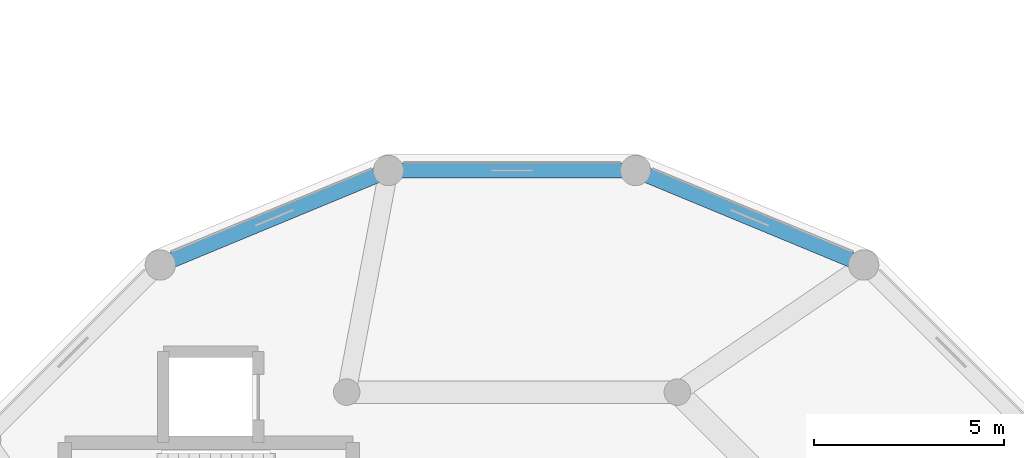
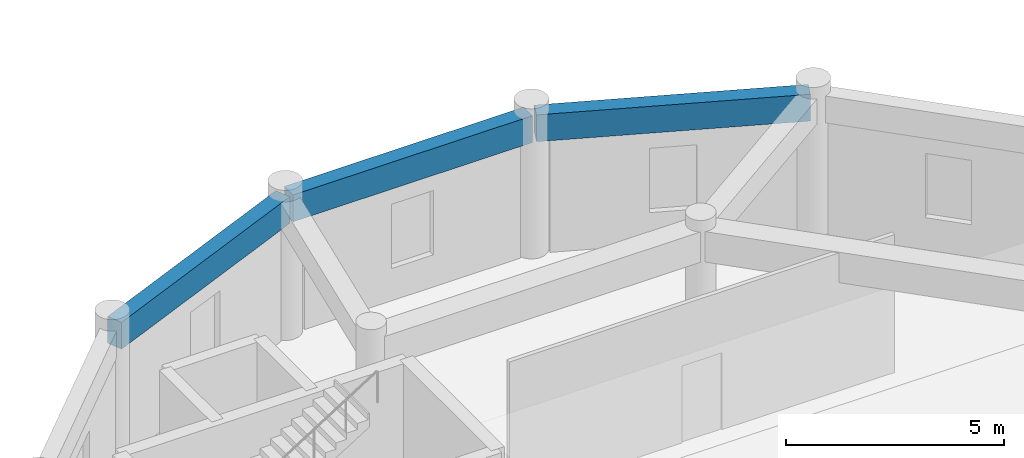
# One storey, part 53 of 152: 3 beams.
"""IFC4 building model written with IfcOpenShell, lengths in metres."""

from ifc_helpers import new_model, si_unit, direction, frame, origin, origin_2d, place, context, subcontext, project, spatial, rectangle, extrude, material, material_profile, profile_set, type_object, element, save


model = new_model("IFC4")

# Units and contexts
model_context = context("Model", 3, precision=1e-05, world=origin(), true_north=direction((0.0, 1.0)))
body_context = subcontext(model_context, "Body", "Model", "MODEL_VIEW")
ifc_project = project(units=[si_unit("LENGTHUNIT", "METRE"), si_unit("AREAUNIT", "SQUARE_METRE"), si_unit("VOLUMEUNIT", "CUBIC_METRE"), si_unit("PLANEANGLEUNIT", "RADIAN"), si_unit("MASSUNIT", "GRAM", prefix="KILO"), si_unit("THERMODYNAMICTEMPERATUREUNIT", "KELVIN"), si_unit("POWERUNIT", "WATT")], contexts=[model_context])

# Site, building, storey
site_placement = place(None, origin())
site = spatial("IfcSite", under=ifc_project, at=site_placement, CompositionType="ELEMENT")
building_placement = place(site_placement, origin())
building = spatial("IfcBuilding", under=site, at=building_placement, Name="Darbajah Civic Hall", CompositionType="ELEMENT")
storey_placement = place(building_placement, frame((0.0, 0.0, 5.39990234375)))
storey = spatial("IfcBuildingStorey", under=building, at=storey_placement, Name="L01", CompositionType="ELEMENT", Elevation=5.39990234375)

# Beams
ifc_material = material(Name="Concrete C45/55", Category="concrete")
ifc_material_profile = material_profile(ifc_material, rectangle(XDim=0.39990234375, YDim=0.75, at=origin_2d()), Name="RC SPANDREL 400x750")
ifc_profile_set = profile_set([ifc_material_profile], Name="Concrete C45/55")
beam_type = type_object("IfcBeamType", Name="RC SPANDREL 400x750", PredefinedType="SPANDREL", material=ifc_profile_set)
for number, where, z_axis, x_axis, name in (
    (1, (25.995361328125, 95.520751953125, 3.505126953125), (-0.92387970686, 0.382683011449, 0.0), (-0.382683011449, -0.92387970686, 0.0), "L01 beam SP-4075"),
    (2, (19.96826171875, 97.97998046875, 3.505126953125), (-1.0, 0.0, 0.0), (0.0, -1.0, 0.0), "L01 beam SP-4075"),
):
    element("IfcBeam", number, at=place(storey_placement, frame(where, z_axis=z_axis, x_axis=x_axis)), inside=storey, type_object=beam_type, Name=name, PredefinedType="SPANDREL", context=body_context, shape_type="SweptSolid", body=[
        extrude(rectangle(XDim=0.39990234375, YDim=0.75, at=origin_2d()), origin(), (0.0, 0.0, 1.0), 6.33642578125),
    ])
beam_placement = place(storey_placement, frame((13.458740234375, 97.945556640625, 3.505126953125), z_axis=(-0.923885349179, -0.382669389384, 0.0), x_axis=(0.382669389384, -0.923885349179, 0.0)))
element("IfcBeam", 3, at=beam_placement, inside=storey, type_object=beam_type, Name="L01 beam SP-4075", PredefinedType="SPANDREL", context=body_context, shape_type="SweptSolid", body=[
    extrude(rectangle(XDim=0.39990234375, YDim=0.75, at=origin_2d()), origin(), (0.0, 0.0, 1.0), 6.336669921875),
])

save(model, "model.ifc")
